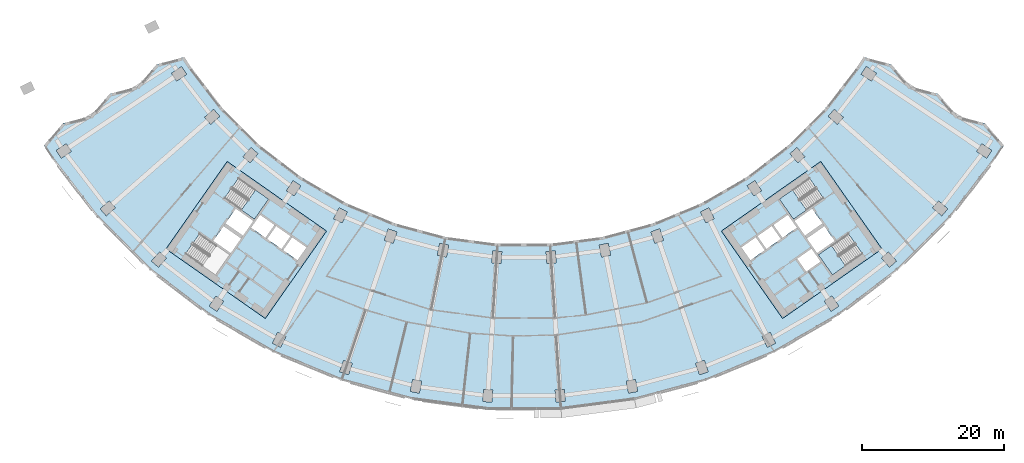
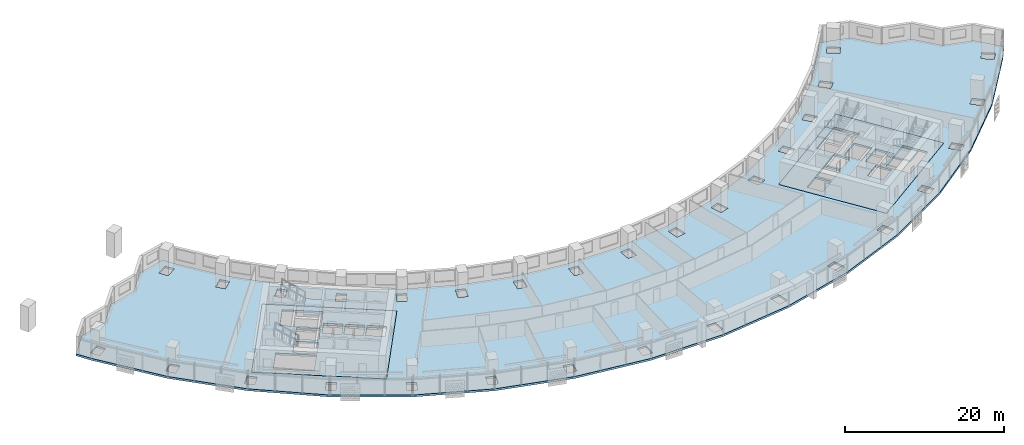
# One storey, part 2 of 31: 6 slabs, 3 elements without a shape of their own.
"""IFC4 building model written with IfcOpenShell, lengths in metres."""

from ifc_helpers import new_model, si_unit, direction, frame, origin, place, context, subcontext, project, spatial, polyline, outline, extrude, material, layer, layer_set, type_object, element, aggregate, save


model = new_model("IFC4")

# Units and contexts
model_context = context("Model", 3, precision=1e-05, world=origin(), true_north=direction((0.0, 1.0)))
body_context = subcontext(model_context, "Body", "Model", "MODEL_VIEW")
ifc_project = project(units=[si_unit("LENGTHUNIT", "METRE"), si_unit("AREAUNIT", "SQUARE_METRE"), si_unit("VOLUMEUNIT", "CUBIC_METRE"), si_unit("PLANEANGLEUNIT", "RADIAN"), si_unit("MASSUNIT", "GRAM", prefix="KILO")], contexts=[model_context])

# Site, building, storey
site_placement = place(None, origin())
site = spatial("IfcSite", under=ifc_project, at=site_placement, CompositionType="ELEMENT")
building_placement = place(site_placement, origin())
building = spatial("IfcBuilding", under=site, at=building_placement, Name="Qamariyya Broadcast Tower", CompositionType="ELEMENT")
storey_placement = place(building_placement, frame((0.0, 0.0, 51.89990234375)))
storey = spatial("IfcBuildingStorey", under=building, at=storey_placement, Name="L09", CompositionType="ELEMENT", Elevation=51.89990234375)

# Slabs
ifc_material_1 = material(Name="Concrete C40/50", Category="concrete")
ifc_layer_1 = layer(ifc_material_1, 0.300048828125)
ifc_layer_set_1 = layer_set([ifc_layer_1], Name="Core floor slab 300 mm Concrete C40/50")
slab_type_1 = type_object("IfcSlabType", Name="Core floor slab 300 mm Concrete C40/50", PredefinedType="FLOOR", material=ifc_layer_set_1)
slab_1_placement = place(storey_placement, frame((0.0, 0.0, -0.2998046875)))
element("IfcSlab", 1, at=slab_1_placement, inside=storey, type_object=slab_type_1, Name="k-W-L09-slab", PredefinedType="FLOOR", context=body_context, shape_type="SweptSolid", body=[
    extrude(outline(polyline([(-50.286376953125, -56.95751953125), (-36.32373046875, -66.734375), (-27.719970703125, -54.447021484375), (-41.6826171875, -44.67041015625), (-50.286376953125, -56.95751953125)]), holes=[polyline([(-31.80859375, -58.542724609375), (-33.8154296875, -57.137451171875), (-32.5537109375, -55.335205078125), (-30.546630859375, -56.740478515625), (-31.80859375, -58.542724609375)]), polyline([(-34.061279296875, -56.96533203125), (-36.068115234375, -55.56005859375), (-34.806396484375, -53.758056640625), (-32.79931640625, -55.163330078125), (-34.061279296875, -56.96533203125)]), polyline([(-36.31396484375, -55.387939453125), (-38.32080078125, -53.982666015625), (-37.058837890625, -52.1806640625), (-35.052001953125, -53.5859375), (-36.31396484375, -55.387939453125)]), polyline([(-39.742431640625, -55.489990234375), (-42.199951171875, -53.769287109375), (-43.6337890625, -55.817138671875), (-41.17626953125, -57.537841796875), (-39.742431640625, -55.489990234375)]), polyline([(-39.45556640625, -55.080322265625), (-41.9130859375, -53.359619140625), (-40.47900390625, -51.311767578125), (-38.021728515625, -53.032470703125), (-39.45556640625, -55.080322265625)]), polyline([(-42.06103515625, -49.837890625), (-37.849609375, -52.78662109375), (-35.870849609375, -49.960693359375), (-40.082275390625, -47.01171875), (-42.06103515625, -49.837890625)]), polyline([(-47.538818359375, -57.66064453125), (-43.3271484375, -60.609619140625), (-41.348388671875, -57.783447265625), (-45.559814453125, -54.834716796875), (-47.538818359375, -57.66064453125)])]), origin(), (0.0, 0.0, 1.0), 0.2998046875),
])
slab_2_placement = place(storey_placement, frame((0.0, 0.0, -0.2998046875)))
element("IfcSlab", 2, at=slab_2_placement, inside=storey, type_object=slab_type_1, Name="k-E-L09-slab", PredefinedType="FLOOR", context=body_context, shape_type="SweptSolid", body=[
    extrude(outline(polyline([(36.32373046875, -66.734375), (50.286376953125, -56.95751953125), (41.6826171875, -44.67041015625), (27.719970703125, -54.447021484375), (36.32373046875, -66.734375)]), holes=[polyline([(31.80859375, -58.542724609375), (33.8154296875, -57.137451171875), (32.5537109375, -55.335205078125), (30.546630859375, -56.740478515625), (31.80859375, -58.542724609375)]), polyline([(34.061279296875, -56.96533203125), (36.068115234375, -55.56005859375), (34.806396484375, -53.758056640625), (32.79931640625, -55.163330078125), (34.061279296875, -56.96533203125)]), polyline([(36.31396484375, -55.387939453125), (38.32080078125, -53.982666015625), (37.058837890625, -52.1806640625), (35.052001953125, -53.5859375), (36.31396484375, -55.387939453125)]), polyline([(38.378662109375, -58.3369140625), (40.3857421875, -56.931640625), (41.6474609375, -58.73388671875), (39.640625, -60.13916015625), (38.378662109375, -58.3369140625)]), polyline([(39.742431640625, -55.489990234375), (42.199951171875, -53.769287109375), (43.6337890625, -55.817138671875), (41.17626953125, -57.537841796875), (39.742431640625, -55.489990234375)]), polyline([(39.45556640625, -55.080322265625), (41.9130859375, -53.359619140625), (40.47900390625, -51.311767578125), (38.021728515625, -53.032470703125), (39.45556640625, -55.080322265625)]), polyline([(40.082275390625, -47.01171875), (35.870849609375, -49.960693359375), (37.849609375, -52.78662109375), (42.06103515625, -49.837890625), (40.082275390625, -47.01171875)]), polyline([(45.559814453125, -54.834716796875), (41.348388671875, -57.783447265625), (43.3271484375, -60.609619140625), (47.538818359375, -57.66064453125), (45.559814453125, -54.834716796875)])]), origin(), (0.0, 0.0, 1.0), 0.2998046875),
])
ifc_layer_2 = layer(ifc_material_1, 0.300048828125)
ifc_layer_set_2 = layer_set([ifc_layer_2], Name="Post-tensioned floor slab 300 C40/50")
slab_type_2 = type_object("IfcSlabType", Name="Post-tensioned floor slab 300 C40/50", PredefinedType="FLOOR", material=ifc_layer_set_2)
slab_3_placement = place(storey_placement, frame((0.0, 0.0, -0.2998046875)))
element("IfcSlab", 3, at=slab_3_placement, inside=storey, type_object=slab_type_2, Name="Floor slab S4 L09", PredefinedType="FLOOR", context=body_context, shape_type="SweptSolid", body=[
    extrude(outline(polyline([(-64.7646484375, -39.32080078125), (-67.4208984375, -42.4091796875), (-66.2265625, -44.251220703125), (-59.884033203125, -52.516845703125), (-52.516845703125, -59.884033203125), (-44.251220703125, -66.2265625), (-35.228271484375, -71.43603515625), (-25.6025390625, -75.423095703125), (-15.5390625, -78.11962890625), (-5.20947265625, -79.4794921875), (5.20947265625, -79.4794921875), (15.5390625, -78.11962890625), (25.6025390625, -75.423095703125), (35.228271484375, -71.43603515625), (44.251220703125, -66.2265625), (52.516845703125, -59.884033203125), (59.884033203125, -52.516845703125), (66.2265625, -44.251220703125), (67.4208984375, -42.4091796875), (64.7646484375, -39.32080078125), (60.8466796875, -38.27392578125), (58.189453125, -35.18505859375), (54.2724609375, -34.138671875), (51.6142578125, -31.048828125), (47.6982421875, -30.00341796875), (46.853271484375, -31.306396484375), (42.3662109375, -37.154052734375), (37.154052734375, -42.3662109375), (31.306396484375, -46.853271484375), (24.9228515625, -50.538818359375), (18.113037109375, -53.359619140625), (10.993408203125, -55.267333984375), (3.685546875, -56.229248046875), (-3.685546875, -56.229248046875), (-10.993408203125, -55.267333984375), (-18.113037109375, -53.359619140625), (-24.9228515625, -50.538818359375), (-31.306396484375, -46.853271484375), (-37.154052734375, -42.3662109375), (-42.3662109375, -37.154052734375), (-46.853271484375, -31.306396484375), (-47.6982421875, -30.00341796875), (-51.6142578125, -31.048828125), (-54.2724609375, -34.138671875), (-58.189453125, -35.18505859375), (-60.8466796875, -38.27392578125), (-64.7646484375, -39.32080078125)]), holes=[polyline([(-5.789306640625, -78.38916015625), (-5.67822265625, -76.69287109375), (-4.380859375, -76.77783203125), (-4.4921875, -78.47412109375), (-5.789306640625, -78.38916015625)]), polyline([(-15.9716796875, -76.962890625), (-15.639892578125, -75.295654296875), (-14.364990234375, -75.54931640625), (-14.696533203125, -77.216552734375), (-15.9716796875, -76.962890625)]), polyline([(-25.880615234375, -74.2197265625), (-25.334228515625, -72.610107421875), (-24.103271484375, -73.02783203125), (-24.649658203125, -74.6376953125), (-25.880615234375, -74.2197265625)]), polyline([(-35.346923828125, -70.206787109375), (-34.594970703125, -68.68212890625), (-33.428955078125, -69.257080078125), (-34.180908203125, -70.78173828125), (-35.346923828125, -70.206787109375)]), polyline([(-44.208251953125, -64.992431640625), (-43.263916015625, -63.578857421875), (-42.182861328125, -64.301025390625), (-43.12744140625, -65.714599609375), (-44.208251953125, -64.992431640625)]), polyline([(-52.313232421875, -58.666015625), (-51.1923828125, -57.387939453125), (-50.215087890625, -58.2451171875), (-51.3359375, -59.523193359375), (-52.313232421875, -58.666015625)]), polyline([(-12.167236328125, -57.837646484375), (-11.835693359375, -56.170166015625), (-10.560791015625, -56.423828125), (-10.892333984375, -58.09130859375), (-12.167236328125, -57.837646484375)]), polyline([(-41.6826171875, -44.67041015625), (-27.719970703125, -54.447021484375), (-36.32373046875, -66.734375), (-50.286376953125, -56.95751953125), (-41.6826171875, -44.67041015625)]), polyline([(-19.066162109375, -54.144775390625), (-17.835205078125, -54.562744140625), (-18.381591796875, -56.172607421875), (-19.612548828125, -55.754638671875), (-19.066162109375, -54.144775390625)]), polyline([(-26.72216796875, -52.7177734375), (-25.970458984375, -51.193115234375), (-24.804443359375, -51.76806640625), (-25.556396484375, -53.292724609375), (-26.72216796875, -52.7177734375)]), polyline([(-59.523193359375, -51.3359375), (-58.2451171875, -50.215087890625), (-57.387939453125, -51.1923828125), (-58.666015625, -52.313232421875), (-59.523193359375, -51.3359375)]), polyline([(-33.374755859375, -48.77880859375), (-32.43017578125, -47.365234375), (-31.349365234375, -48.08740234375), (-32.293701171875, -49.5009765625), (-33.374755859375, -48.77880859375)]), polyline([(-39.4560546875, -44.005126953125), (-38.335205078125, -42.72705078125), (-37.357666015625, -43.584228515625), (-38.478759765625, -44.8623046875), (-39.4560546875, -44.005126953125)]), polyline([(-65.714599609375, -43.12744140625), (-64.301025390625, -42.182861328125), (-63.578857421875, -43.263916015625), (-64.992431640625, -44.208251953125), (-65.714599609375, -43.12744140625)]), polyline([(-44.8623046875, -38.478759765625), (-43.584228515625, -37.357666015625), (-42.72705078125, -38.335205078125), (-44.005126953125, -39.4560546875), (-44.8623046875, -38.478759765625)]), polyline([(-48.08740234375, -31.349365234375), (-47.365234375, -32.43017578125), (-48.77880859375, -33.374755859375), (-49.5009765625, -32.293701171875), (-48.08740234375, -31.349365234375)]), polyline([(4.4921875, -78.47412109375), (4.380859375, -76.77783203125), (5.67822265625, -76.69287109375), (5.789306640625, -78.38916015625), (4.4921875, -78.47412109375)]), polyline([(14.696533203125, -77.216552734375), (14.364990234375, -75.54931640625), (15.639892578125, -75.295654296875), (15.9716796875, -76.962890625), (14.696533203125, -77.216552734375)]), polyline([(24.649658203125, -74.6376953125), (24.103271484375, -73.02783203125), (25.334228515625, -72.610107421875), (25.880615234375, -74.2197265625), (24.649658203125, -74.6376953125)]), polyline([(34.180908203125, -70.78173828125), (33.428955078125, -69.257080078125), (34.594970703125, -68.68212890625), (35.346923828125, -70.206787109375), (34.180908203125, -70.78173828125)]), polyline([(43.12744140625, -65.714599609375), (42.182861328125, -64.301025390625), (43.263916015625, -63.578857421875), (44.208251953125, -64.992431640625), (43.12744140625, -65.714599609375)]), polyline([(51.3359375, -59.523193359375), (50.215087890625, -58.2451171875), (51.1923828125, -57.387939453125), (52.313232421875, -58.666015625), (51.3359375, -59.523193359375)]), polyline([(3.216796875, -59.015869140625), (3.10546875, -57.319580078125), (4.40283203125, -57.234619140625), (4.513916015625, -58.930908203125), (3.216796875, -59.015869140625)]), polyline([(-4.40283203125, -57.234619140625), (-3.10546875, -57.319580078125), (-3.216796875, -59.015869140625), (-4.513916015625, -58.930908203125), (-4.40283203125, -57.234619140625)]), polyline([(10.560791015625, -56.423828125), (11.835693359375, -56.170166015625), (12.167236328125, -57.837646484375), (10.892333984375, -58.09130859375), (10.560791015625, -56.423828125)]), polyline([(36.32373046875, -66.734375), (27.719970703125, -54.447021484375), (41.6826171875, -44.67041015625), (50.286376953125, -56.95751953125), (36.32373046875, -66.734375)]), polyline([(18.381591796875, -56.172607421875), (17.835205078125, -54.562744140625), (19.066162109375, -54.144775390625), (19.612548828125, -55.754638671875), (18.381591796875, -56.172607421875)]), polyline([(25.556396484375, -53.292724609375), (24.804443359375, -51.76806640625), (25.970458984375, -51.193115234375), (26.72216796875, -52.7177734375), (25.556396484375, -53.292724609375)]), polyline([(58.666015625, -52.313232421875), (57.387939453125, -51.1923828125), (58.2451171875, -50.215087890625), (59.523193359375, -51.3359375), (58.666015625, -52.313232421875)]), polyline([(32.293701171875, -49.5009765625), (31.349365234375, -48.08740234375), (32.43017578125, -47.365234375), (33.374755859375, -48.77880859375), (32.293701171875, -49.5009765625)]), polyline([(38.478759765625, -44.8623046875), (37.357666015625, -43.584228515625), (38.335205078125, -42.72705078125), (39.4560546875, -44.005126953125), (38.478759765625, -44.8623046875)]), polyline([(64.992431640625, -44.208251953125), (63.578857421875, -43.263916015625), (64.301025390625, -42.182861328125), (65.714599609375, -43.12744140625), (64.992431640625, -44.208251953125)]), polyline([(42.72705078125, -38.335205078125), (43.584228515625, -37.357666015625), (44.8623046875, -38.478759765625), (44.005126953125, -39.4560546875), (42.72705078125, -38.335205078125)]), polyline([(47.365234375, -32.43017578125), (48.08740234375, -31.349365234375), (49.5009765625, -32.293701171875), (48.77880859375, -33.374755859375), (47.365234375, -32.43017578125)])]), origin(), (0.0, 0.0, 1.0), 0.2998046875),
])

# Stair, slab
ifc_material_2 = material(Name="Concrete C50/60", Category="concrete")
stair_type = type_object("IfcStairType", Name="Exit stair 22 risers of 173 mm", PredefinedType="HALF_TURN_STAIR", material=ifc_material_2)
stair_1_placement = place(storey_placement, origin())
stair_1 = element("IfcStair", 4, at=stair_1_placement, inside=storey, type_object=stair_type, Name="L09 Stair W2", PredefinedType="HALF_TURN_STAIR")
ifc_layer_3 = layer(ifc_material_2, 0.199951171875)
ifc_layer_set_3 = layer_set([ifc_layer_3], Name="Stair landing")
slab_type_3 = type_object("IfcSlabType", Name="Stair landing", PredefinedType="LANDING", material=ifc_layer_set_3)
slab_4_placement = place(storey_placement, frame((0.0, 0.0, 1.7001953125)))
slab_4 = element("IfcSlab", 5, at=slab_4_placement, type_object=slab_type_3, Name="ST-W2 landing 1", PredefinedType="LANDING", context=body_context, shape_type="SweptSolid", body=[
    extrude(outline(polyline([(-39.692138671875, -51.49658203125), (-37.849609375, -52.78662109375), (-35.870849609375, -49.960693359375), (-37.71337890625, -48.67041015625), (-39.692138671875, -51.49658203125)])), origin(), (0.0, 0.0, 1.0), 0.199951171875),
])
aggregate(stair_1, [slab_4])

stair_2_placement = place(storey_placement, origin())
stair_2 = element("IfcStair", 6, at=stair_2_placement, inside=storey, type_object=stair_type, Name="L09 Stair E2", PredefinedType="HALF_TURN_STAIR")
slab_5_placement = place(storey_placement, frame((0.0, 0.0, 1.7001953125)))
slab_5 = element("IfcSlab", 7, at=slab_5_placement, type_object=slab_type_3, Name="ST-E2 landing 1", PredefinedType="LANDING", context=body_context, shape_type="SweptSolid", body=[
    extrude(outline(polyline([(37.71337890625, -48.67041015625), (35.870849609375, -49.960693359375), (37.849609375, -52.78662109375), (39.692138671875, -51.49658203125), (37.71337890625, -48.67041015625)])), origin(), (0.0, 0.0, 1.0), 0.199951171875),
])
aggregate(stair_2, [slab_5])

stair_3_placement = place(storey_placement, origin())
stair_3 = element("IfcStair", 8, at=stair_3_placement, inside=storey, type_object=stair_type, Name="L09 Stair E1", PredefinedType="HALF_TURN_STAIR")
slab_6_placement = place(storey_placement, frame((0.0, 0.0, 1.7001953125)))
slab_6 = element("IfcSlab", 9, at=slab_6_placement, type_object=slab_type_3, Name="ST-E1 landing 1", PredefinedType="LANDING", context=body_context, shape_type="SweptSolid", body=[
    extrude(outline(polyline([(43.19091796875, -56.493408203125), (41.348388671875, -57.783447265625), (43.3271484375, -60.609619140625), (45.169677734375, -59.319580078125), (43.19091796875, -56.493408203125)])), origin(), (0.0, 0.0, 1.0), 0.199951171875),
])
aggregate(stair_3, [slab_6])

save(model, "model.ifc")
